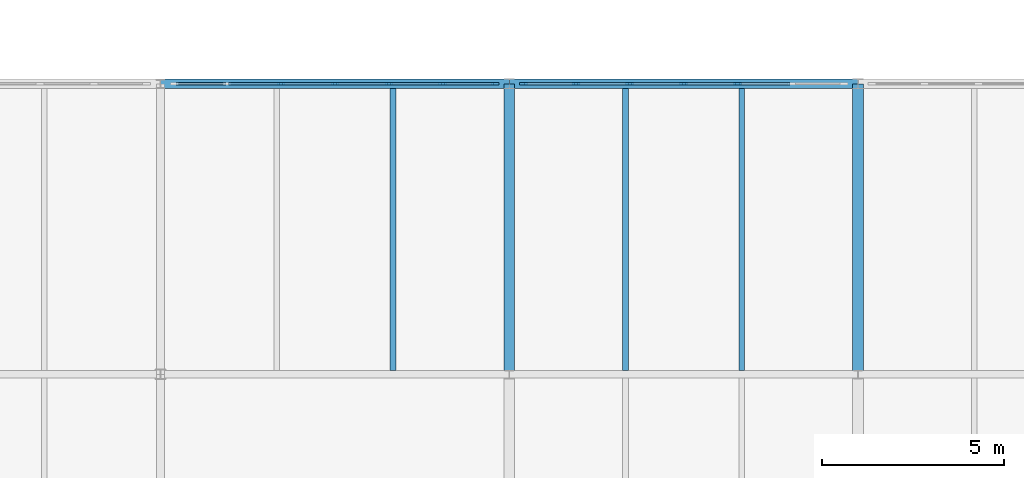
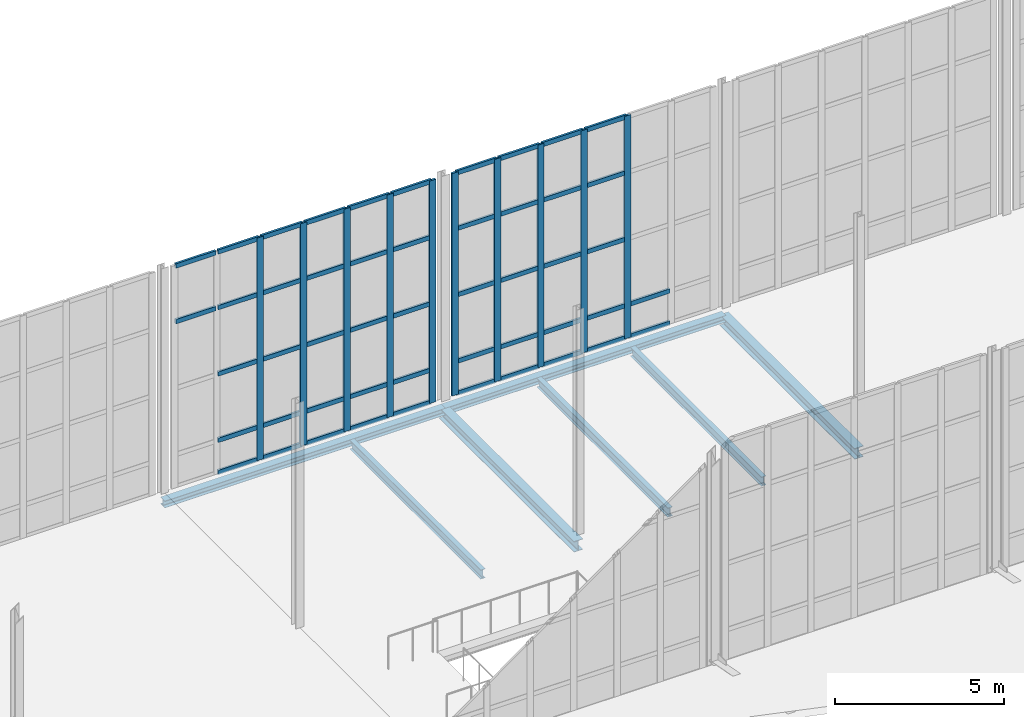
# One storey, part 38 of 73: 59 members, 7 beams, 2 elements without a shape of their own.
"""IFC4 building model written with IfcOpenShell, lengths in metres."""

from ifc_helpers import new_model, si_unit, direction, frame, origin, origin_2d, place, context, subcontext, project, spatial, rectangle, i_section, extrude, material, layer, layer_set, material_profile, profile_set, type_object, element, aggregate, save


model = new_model("IFC4")

# Units and contexts
model_context = context("Model", 3, precision=1e-05, world=origin(), true_north=direction((0.0, 1.0)))
body_context = subcontext(model_context, "Body", "Model", "MODEL_VIEW")
ifc_project = project(units=[si_unit("LENGTHUNIT", "METRE"), si_unit("AREAUNIT", "SQUARE_METRE"), si_unit("VOLUMEUNIT", "CUBIC_METRE"), si_unit("PLANEANGLEUNIT", "RADIAN"), si_unit("MASSUNIT", "GRAM", prefix="KILO")], contexts=[model_context])

# Site, building, storey
site_placement = place(None, origin())
site = spatial("IfcSite", under=ifc_project, at=site_placement, CompositionType="ELEMENT")
building_placement = place(site_placement, origin())
building = spatial("IfcBuilding", under=site, at=building_placement, Name="Alderhovde Museum", CompositionType="ELEMENT")
storey_placement = place(building_placement, frame((0.0, 0.0, 17.39990234375)))
storey = spatial("IfcBuildingStorey", under=building, at=storey_placement, Name="L04", CompositionType="ELEMENT", Elevation=17.39990234375)

# Beams
ifc_material_1 = material(Name="Steel S355J2", Category="steel")
ifc_material_profile_1 = material_profile(ifc_material_1, i_section(OverallWidth=0.300048828125, OverallDepth=0.389892578125, WebThickness=0.010986328125, FlangeThickness=0.01904296875, FilletRadius=0.027099609375, at=origin_2d()), Name="HEA 400")
ifc_profile_set_1 = profile_set([ifc_material_profile_1], Name="Steel S355J2")
beam_type_1 = type_object("IfcBeamType", Name="BM-HEA400", PredefinedType="BEAM", material=ifc_profile_set_1)
for number, where, z_axis, x_axis, name in (
    (1, (86.39990234375, 80.0, -0.474853515625), (0.0, 1.0, 0.0), (-1.0, 0.0, 0.0), "L04 Grid Beam X=86.4 (80.0 TO 88.0)"),
    (2, (96.0, 80.0, -0.474853515625), (0.0, 1.0, 0.0), (-1.0, 0.0, 0.0), "L04 Grid Beam X=96.0 (80.0 TO 88.0)"),
):
    element("IfcBeam", number, at=place(storey_placement, frame(where, z_axis=z_axis, x_axis=x_axis)), inside=storey, type_object=beam_type_1, Name=name, PredefinedType="BEAM", context=body_context, shape_type="SweptSolid", body=[
        extrude(i_section(OverallWidth=0.300048828125, OverallDepth=0.389892578125, WebThickness=0.010986328125, FlangeThickness=0.01904296875, FilletRadius=0.027099609375, at=origin_2d()), origin(), (0.0, 0.0, 1.0), 8.0),
    ])

# Curtain wall, members
ifc_material_2 = material(Name="Triple-Glazed Bronze-Anodised Curtain Wall", Category="glass")
ifc_layer = layer(ifc_material_2, 0.219970703125)
ifc_layer_set = layer_set([ifc_layer], Name="Triple-Glazed Bronze-Anodised Curtain Wall")
curtain_wall_type = type_object("IfcCurtainWallType", Name="CW-UNIT-890x805", PredefinedType="USERDEFINED", material=ifc_layer_set)
curtain_wall_1_placement = place(storey_placement, origin())
curtain_wall_1 = element("IfcCurtainWall", 3, at=curtain_wall_1_placement, inside=storey, type_object=curtain_wall_type, Name="L04 Unitised Curtain Wall 81", ObjectType="UNITISED CURTAIN WALL", PredefinedType="USERDEFINED")
ifc_material_3 = material(Name="Bronze-Anodised Aluminium EN AW-6063-T6", Category="aluminium")
ifc_material_profile_2 = material_profile(ifc_material_3, rectangle(XDim=0.074951171875, YDim=0.219970703125, at=origin_2d()), Name="MULLION 75x220")
ifc_profile_set_2 = profile_set([ifc_material_profile_2], Name="Bronze-Anodised Aluminium EN AW-6063-T6")
member_type_1 = type_object("IfcMemberType", Name="CWM-75x220", PredefinedType="MULLION", material=ifc_profile_set_2)
member_1_placement = place(storey_placement, frame((80.11669921875, 88.0, 0.0), z_axis=(0.0, 0.0, 1.0), x_axis=(0.0, 1.0, 0.0)))
member_1 = element("IfcMember", 4, at=member_1_placement, type_object=member_type_1, Name="CW21 mullion 3", PredefinedType="MULLION", context=body_context, shape_type="SweptSolid", body=[
    extrude(rectangle(XDim=0.074951171875, YDim=0.219970703125, at=origin_2d()), origin(), (0.0, 0.0, 1.0), 8.050048828125),
])
member_2_placement = place(storey_placement, frame((81.60009765625, 88.0, 0.0), z_axis=(0.0, 0.0, 1.0), x_axis=(0.0, 1.0, 0.0)))
member_2 = element("IfcMember", 5, at=member_2_placement, type_object=member_type_1, Name="CW21 mullion 4", PredefinedType="MULLION", context=body_context, shape_type="SweptSolid", body=[
    extrude(rectangle(XDim=0.074951171875, YDim=0.219970703125, at=origin_2d()), origin(), (0.0, 0.0, 1.0), 8.050048828125),
])
member_3_placement = place(storey_placement, frame((83.083251953125, 88.0, 0.0), z_axis=(0.0, 0.0, 1.0), x_axis=(0.0, 1.0, 0.0)))
member_3 = element("IfcMember", 6, at=member_3_placement, type_object=member_type_1, Name="CW21 mullion 5", PredefinedType="MULLION", context=body_context, shape_type="SweptSolid", body=[
    extrude(rectangle(XDim=0.074951171875, YDim=0.219970703125, at=origin_2d()), origin(), (0.0, 0.0, 1.0), 8.050048828125),
])
member_4_placement = place(storey_placement, frame((84.566650390625, 88.0, 0.0), z_axis=(0.0, 0.0, 1.0), x_axis=(0.0, 1.0, 0.0)))
member_4 = element("IfcMember", 7, at=member_4_placement, type_object=member_type_1, Name="CW21 mullion 6", PredefinedType="MULLION", context=body_context, shape_type="SweptSolid", body=[
    extrude(rectangle(XDim=0.074951171875, YDim=0.219970703125, at=origin_2d()), origin(), (0.0, 0.0, 1.0), 8.050048828125),
])
member_5_placement = place(storey_placement, frame((86.012451171875, 88.0, 0.0), z_axis=(0.0, 0.0, 1.0), x_axis=(0.0, 1.0, 0.0)))
member_5 = element("IfcMember", 8, at=member_5_placement, type_object=member_type_1, Name="CW21 mullion 7", PredefinedType="MULLION", context=body_context, shape_type="SweptSolid", body=[
    extrude(rectangle(XDim=0.074951171875, YDim=0.219970703125, at=origin_2d()), origin(), (0.0, 0.0, 1.0), 8.050048828125),
])

curtain_wall_2_placement = place(storey_placement, origin())
curtain_wall_2 = element("IfcCurtainWall", 9, at=curtain_wall_2_placement, inside=storey, type_object=curtain_wall_type, Name="L04 Unitised Curtain Wall 83", ObjectType="UNITISED CURTAIN WALL", PredefinedType="USERDEFINED")
member_6_placement = place(storey_placement, frame((86.78759765625, 88.0, 0.0), z_axis=(0.0, 0.0, 1.0), x_axis=(0.0, 1.0, 0.0)))
member_6 = element("IfcMember", 10, at=member_6_placement, type_object=member_type_1, Name="CW21 mullion 1", PredefinedType="MULLION", context=body_context, shape_type="SweptSolid", body=[
    extrude(rectangle(XDim=0.074951171875, YDim=0.219970703125, at=origin_2d()), origin(), (0.0, 0.0, 1.0), 8.050048828125),
])
member_7_placement = place(storey_placement, frame((88.2333984375, 88.0, 0.0), z_axis=(0.0, 0.0, 1.0), x_axis=(0.0, 1.0, 0.0)))
member_7 = element("IfcMember", 11, at=member_7_placement, type_object=member_type_1, Name="CW21 mullion 2", PredefinedType="MULLION", context=body_context, shape_type="SweptSolid", body=[
    extrude(rectangle(XDim=0.074951171875, YDim=0.219970703125, at=origin_2d()), origin(), (0.0, 0.0, 1.0), 8.050048828125),
])
member_8_placement = place(storey_placement, frame((89.716552734375, 88.0, 0.0), z_axis=(0.0, 0.0, 1.0), x_axis=(0.0, 1.0, 0.0)))
member_8 = element("IfcMember", 12, at=member_8_placement, type_object=member_type_1, Name="CW21 mullion 3", PredefinedType="MULLION", context=body_context, shape_type="SweptSolid", body=[
    extrude(rectangle(XDim=0.074951171875, YDim=0.219970703125, at=origin_2d()), origin(), (0.0, 0.0, 1.0), 8.050048828125),
])
member_9_placement = place(storey_placement, frame((91.199951171875, 88.0, 0.0), z_axis=(0.0, 0.0, 1.0), x_axis=(0.0, 1.0, 0.0)))
member_9 = element("IfcMember", 13, at=member_9_placement, type_object=member_type_1, Name="CW21 mullion 4", PredefinedType="MULLION", context=body_context, shape_type="SweptSolid", body=[
    extrude(rectangle(XDim=0.074951171875, YDim=0.219970703125, at=origin_2d()), origin(), (0.0, 0.0, 1.0), 8.050048828125),
])
member_10_placement = place(storey_placement, frame((92.683349609375, 88.0, 0.0), z_axis=(0.0, 0.0, 1.0), x_axis=(0.0, 1.0, 0.0)))
member_10 = element("IfcMember", 14, at=member_10_placement, type_object=member_type_1, Name="CW21 mullion 5", PredefinedType="MULLION", context=body_context, shape_type="SweptSolid", body=[
    extrude(rectangle(XDim=0.074951171875, YDim=0.219970703125, at=origin_2d()), origin(), (0.0, 0.0, 1.0), 8.050048828125),
])

# Member
ifc_material_4 = material(Name="Bronze-Anodised Aluminium EN AW-6063-T6", Category="aluminium")
ifc_material_profile_3 = material_profile(ifc_material_4, rectangle(XDim=0.074951171875, YDim=0.159912109375, at=origin_2d()), Name="TRANSOM 75x160")
ifc_profile_set_3 = profile_set([ifc_material_profile_3], Name="Bronze-Anodised Aluminium EN AW-6063-T6")
member_type_2 = type_object("IfcMemberType", Name="CWT-75x160", PredefinedType="USERDEFINED", material=ifc_profile_set_3)
member_11_placement = place(storey_placement, frame((77.22509765625, 88.0, 6.0), z_axis=(1.0, 0.0, 0.0), x_axis=(0.0, 1.0, 0.0)))
member_11 = element("IfcMember", 15, at=member_11_placement, type_object=member_type_2, Name="CW21 transom 1.4", ObjectType="TRANSOM", PredefinedType="USERDEFINED", context=body_context, shape_type="SweptSolid", body=[
    extrude(rectangle(XDim=0.074951171875, YDim=0.159912109375, at=origin_2d()), origin(), (0.0, 0.0, 1.0), 1.370849609375),
])

member_12_placement = place(storey_placement, frame((77.22509765625, 88.0, 8.0126953125), z_axis=(1.0, 0.0, 0.0), x_axis=(0.0, 1.0, 0.0)))
member_12 = element("IfcMember", 16, at=member_12_placement, type_object=member_type_2, Name="CW21 transom 1.5", ObjectType="TRANSOM", PredefinedType="USERDEFINED", context=body_context, shape_type="SweptSolid", body=[
    extrude(rectangle(XDim=0.074951171875, YDim=0.159912109375, at=origin_2d()), origin(), (0.0, 0.0, 1.0), 1.370849609375),
])

member_13_placement = place(storey_placement, frame((78.6708984375, 88.0, 0.03759765625), z_axis=(1.0, 0.0, 0.0), x_axis=(0.0, 1.0, 0.0)))
member_13 = element("IfcMember", 17, at=member_13_placement, type_object=member_type_2, Name="CW21 transom 2.1", ObjectType="TRANSOM", PredefinedType="USERDEFINED", context=body_context, shape_type="SweptSolid", body=[
    extrude(rectangle(XDim=0.074951171875, YDim=0.159912109375, at=origin_2d()), origin(), (0.0, 0.0, 1.0), 1.408203125),
])

member_14_placement = place(storey_placement, frame((78.6708984375, 88.0, 1.2001953125), z_axis=(1.0, 0.0, 0.0), x_axis=(0.0, 1.0, 0.0)))
member_14 = element("IfcMember", 18, at=member_14_placement, type_object=member_type_2, Name="CW21 transom 2.2", ObjectType="TRANSOM", PredefinedType="USERDEFINED", context=body_context, shape_type="SweptSolid", body=[
    extrude(rectangle(XDim=0.074951171875, YDim=0.159912109375, at=origin_2d()), origin(), (0.0, 0.0, 1.0), 1.408203125),
])

member_15_placement = place(storey_placement, frame((78.6708984375, 88.0, 3.60009765625), z_axis=(1.0, 0.0, 0.0), x_axis=(0.0, 1.0, 0.0)))
member_15 = element("IfcMember", 19, at=member_15_placement, type_object=member_type_2, Name="CW21 transom 2.3", ObjectType="TRANSOM", PredefinedType="USERDEFINED", context=body_context, shape_type="SweptSolid", body=[
    extrude(rectangle(XDim=0.074951171875, YDim=0.159912109375, at=origin_2d()), origin(), (0.0, 0.0, 1.0), 1.408203125),
])

member_16_placement = place(storey_placement, frame((78.6708984375, 88.0, 6.0), z_axis=(1.0, 0.0, 0.0), x_axis=(0.0, 1.0, 0.0)))
member_16 = element("IfcMember", 20, at=member_16_placement, type_object=member_type_2, Name="CW21 transom 2.4", ObjectType="TRANSOM", PredefinedType="USERDEFINED", context=body_context, shape_type="SweptSolid", body=[
    extrude(rectangle(XDim=0.074951171875, YDim=0.159912109375, at=origin_2d()), origin(), (0.0, 0.0, 1.0), 1.408203125),
])

member_17_placement = place(storey_placement, frame((78.6708984375, 88.0, 8.0126953125), z_axis=(1.0, 0.0, 0.0), x_axis=(0.0, 1.0, 0.0)))
member_17 = element("IfcMember", 21, at=member_17_placement, type_object=member_type_2, Name="CW21 transom 2.5", ObjectType="TRANSOM", PredefinedType="USERDEFINED", context=body_context, shape_type="SweptSolid", body=[
    extrude(rectangle(XDim=0.074951171875, YDim=0.159912109375, at=origin_2d()), origin(), (0.0, 0.0, 1.0), 1.408203125),
])

member_18_placement = place(storey_placement, frame((80.154052734375, 88.0, 0.03759765625), z_axis=(1.0, 0.0, 0.0), x_axis=(0.0, 1.0, 0.0)))
member_18 = element("IfcMember", 22, at=member_18_placement, type_object=member_type_2, Name="CW21 transom 3.1", ObjectType="TRANSOM", PredefinedType="USERDEFINED", context=body_context, shape_type="SweptSolid", body=[
    extrude(rectangle(XDim=0.074951171875, YDim=0.159912109375, at=origin_2d()), origin(), (0.0, 0.0, 1.0), 1.408447265625),
])

member_19_placement = place(storey_placement, frame((80.154052734375, 88.0, 1.2001953125), z_axis=(1.0, 0.0, 0.0), x_axis=(0.0, 1.0, 0.0)))
member_19 = element("IfcMember", 23, at=member_19_placement, type_object=member_type_2, Name="CW21 transom 3.2", ObjectType="TRANSOM", PredefinedType="USERDEFINED", context=body_context, shape_type="SweptSolid", body=[
    extrude(rectangle(XDim=0.074951171875, YDim=0.159912109375, at=origin_2d()), origin(), (0.0, 0.0, 1.0), 1.408447265625),
])

member_20_placement = place(storey_placement, frame((80.154052734375, 88.0, 3.60009765625), z_axis=(1.0, 0.0, 0.0), x_axis=(0.0, 1.0, 0.0)))
member_20 = element("IfcMember", 24, at=member_20_placement, type_object=member_type_2, Name="CW21 transom 3.3", ObjectType="TRANSOM", PredefinedType="USERDEFINED", context=body_context, shape_type="SweptSolid", body=[
    extrude(rectangle(XDim=0.074951171875, YDim=0.159912109375, at=origin_2d()), origin(), (0.0, 0.0, 1.0), 1.408447265625),
])

member_21_placement = place(storey_placement, frame((80.154052734375, 88.0, 6.0), z_axis=(1.0, 0.0, 0.0), x_axis=(0.0, 1.0, 0.0)))
member_21 = element("IfcMember", 25, at=member_21_placement, type_object=member_type_2, Name="CW21 transom 3.4", ObjectType="TRANSOM", PredefinedType="USERDEFINED", context=body_context, shape_type="SweptSolid", body=[
    extrude(rectangle(XDim=0.074951171875, YDim=0.159912109375, at=origin_2d()), origin(), (0.0, 0.0, 1.0), 1.408447265625),
])

member_22_placement = place(storey_placement, frame((80.154052734375, 88.0, 8.0126953125), z_axis=(1.0, 0.0, 0.0), x_axis=(0.0, 1.0, 0.0)))
member_22 = element("IfcMember", 26, at=member_22_placement, type_object=member_type_2, Name="CW21 transom 3.5", ObjectType="TRANSOM", PredefinedType="USERDEFINED", context=body_context, shape_type="SweptSolid", body=[
    extrude(rectangle(XDim=0.074951171875, YDim=0.159912109375, at=origin_2d()), origin(), (0.0, 0.0, 1.0), 1.408447265625),
])

member_23_placement = place(storey_placement, frame((81.637451171875, 88.0, 0.03759765625), z_axis=(1.0, 0.0, 0.0), x_axis=(0.0, 1.0, 0.0)))
member_23 = element("IfcMember", 27, at=member_23_placement, type_object=member_type_2, Name="CW21 transom 4.1", ObjectType="TRANSOM", PredefinedType="USERDEFINED", context=body_context, shape_type="SweptSolid", body=[
    extrude(rectangle(XDim=0.074951171875, YDim=0.159912109375, at=origin_2d()), origin(), (0.0, 0.0, 1.0), 1.408447265625),
])

member_24_placement = place(storey_placement, frame((81.637451171875, 88.0, 1.2001953125), z_axis=(1.0, 0.0, 0.0), x_axis=(0.0, 1.0, 0.0)))
member_24 = element("IfcMember", 28, at=member_24_placement, type_object=member_type_2, Name="CW21 transom 4.2", ObjectType="TRANSOM", PredefinedType="USERDEFINED", context=body_context, shape_type="SweptSolid", body=[
    extrude(rectangle(XDim=0.074951171875, YDim=0.159912109375, at=origin_2d()), origin(), (0.0, 0.0, 1.0), 1.408447265625),
])

member_25_placement = place(storey_placement, frame((81.637451171875, 88.0, 3.60009765625), z_axis=(1.0, 0.0, 0.0), x_axis=(0.0, 1.0, 0.0)))
member_25 = element("IfcMember", 29, at=member_25_placement, type_object=member_type_2, Name="CW21 transom 4.3", ObjectType="TRANSOM", PredefinedType="USERDEFINED", context=body_context, shape_type="SweptSolid", body=[
    extrude(rectangle(XDim=0.074951171875, YDim=0.159912109375, at=origin_2d()), origin(), (0.0, 0.0, 1.0), 1.408447265625),
])

member_26_placement = place(storey_placement, frame((81.637451171875, 88.0, 6.0), z_axis=(1.0, 0.0, 0.0), x_axis=(0.0, 1.0, 0.0)))
member_26 = element("IfcMember", 30, at=member_26_placement, type_object=member_type_2, Name="CW21 transom 4.4", ObjectType="TRANSOM", PredefinedType="USERDEFINED", context=body_context, shape_type="SweptSolid", body=[
    extrude(rectangle(XDim=0.074951171875, YDim=0.159912109375, at=origin_2d()), origin(), (0.0, 0.0, 1.0), 1.408447265625),
])

member_27_placement = place(storey_placement, frame((81.637451171875, 88.0, 8.0126953125), z_axis=(1.0, 0.0, 0.0), x_axis=(0.0, 1.0, 0.0)))
member_27 = element("IfcMember", 31, at=member_27_placement, type_object=member_type_2, Name="CW21 transom 4.5", ObjectType="TRANSOM", PredefinedType="USERDEFINED", context=body_context, shape_type="SweptSolid", body=[
    extrude(rectangle(XDim=0.074951171875, YDim=0.159912109375, at=origin_2d()), origin(), (0.0, 0.0, 1.0), 1.408447265625),
])

member_28_placement = place(storey_placement, frame((83.120849609375, 88.0, 0.03759765625), z_axis=(1.0, 0.0, 0.0), x_axis=(0.0, 1.0, 0.0)))
member_28 = element("IfcMember", 32, at=member_28_placement, type_object=member_type_2, Name="CW21 transom 5.1", ObjectType="TRANSOM", PredefinedType="USERDEFINED", context=body_context, shape_type="SweptSolid", body=[
    extrude(rectangle(XDim=0.074951171875, YDim=0.159912109375, at=origin_2d()), origin(), (0.0, 0.0, 1.0), 1.408203125),
])

member_29_placement = place(storey_placement, frame((83.120849609375, 88.0, 1.2001953125), z_axis=(1.0, 0.0, 0.0), x_axis=(0.0, 1.0, 0.0)))
member_29 = element("IfcMember", 33, at=member_29_placement, type_object=member_type_2, Name="CW21 transom 5.2", ObjectType="TRANSOM", PredefinedType="USERDEFINED", context=body_context, shape_type="SweptSolid", body=[
    extrude(rectangle(XDim=0.074951171875, YDim=0.159912109375, at=origin_2d()), origin(), (0.0, 0.0, 1.0), 1.408203125),
])

member_30_placement = place(storey_placement, frame((83.120849609375, 88.0, 3.60009765625), z_axis=(1.0, 0.0, 0.0), x_axis=(0.0, 1.0, 0.0)))
member_30 = element("IfcMember", 34, at=member_30_placement, type_object=member_type_2, Name="CW21 transom 5.3", ObjectType="TRANSOM", PredefinedType="USERDEFINED", context=body_context, shape_type="SweptSolid", body=[
    extrude(rectangle(XDim=0.074951171875, YDim=0.159912109375, at=origin_2d()), origin(), (0.0, 0.0, 1.0), 1.408203125),
])

member_31_placement = place(storey_placement, frame((83.120849609375, 88.0, 6.0), z_axis=(1.0, 0.0, 0.0), x_axis=(0.0, 1.0, 0.0)))
member_31 = element("IfcMember", 35, at=member_31_placement, type_object=member_type_2, Name="CW21 transom 5.4", ObjectType="TRANSOM", PredefinedType="USERDEFINED", context=body_context, shape_type="SweptSolid", body=[
    extrude(rectangle(XDim=0.074951171875, YDim=0.159912109375, at=origin_2d()), origin(), (0.0, 0.0, 1.0), 1.408203125),
])

member_32_placement = place(storey_placement, frame((83.120849609375, 88.0, 8.0126953125), z_axis=(1.0, 0.0, 0.0), x_axis=(0.0, 1.0, 0.0)))
member_32 = element("IfcMember", 36, at=member_32_placement, type_object=member_type_2, Name="CW21 transom 5.5", ObjectType="TRANSOM", PredefinedType="USERDEFINED", context=body_context, shape_type="SweptSolid", body=[
    extrude(rectangle(XDim=0.074951171875, YDim=0.159912109375, at=origin_2d()), origin(), (0.0, 0.0, 1.0), 1.408203125),
])

member_33_placement = place(storey_placement, frame((84.604248046875, 88.0, 0.03759765625), z_axis=(1.0, 0.0, 0.0), x_axis=(0.0, 1.0, 0.0)))
member_33 = element("IfcMember", 37, at=member_33_placement, type_object=member_type_2, Name="CW21 transom 6.1", ObjectType="TRANSOM", PredefinedType="USERDEFINED", context=body_context, shape_type="SweptSolid", body=[
    extrude(rectangle(XDim=0.074951171875, YDim=0.159912109375, at=origin_2d()), origin(), (0.0, 0.0, 1.0), 1.370849609375),
])

member_34_placement = place(storey_placement, frame((84.604248046875, 88.0, 1.2001953125), z_axis=(1.0, 0.0, 0.0), x_axis=(0.0, 1.0, 0.0)))
member_34 = element("IfcMember", 38, at=member_34_placement, type_object=member_type_2, Name="CW21 transom 6.2", ObjectType="TRANSOM", PredefinedType="USERDEFINED", context=body_context, shape_type="SweptSolid", body=[
    extrude(rectangle(XDim=0.074951171875, YDim=0.159912109375, at=origin_2d()), origin(), (0.0, 0.0, 1.0), 1.370849609375),
])

member_35_placement = place(storey_placement, frame((84.604248046875, 88.0, 3.60009765625), z_axis=(1.0, 0.0, 0.0), x_axis=(0.0, 1.0, 0.0)))
member_35 = element("IfcMember", 39, at=member_35_placement, type_object=member_type_2, Name="CW21 transom 6.3", ObjectType="TRANSOM", PredefinedType="USERDEFINED", context=body_context, shape_type="SweptSolid", body=[
    extrude(rectangle(XDim=0.074951171875, YDim=0.159912109375, at=origin_2d()), origin(), (0.0, 0.0, 1.0), 1.370849609375),
])

member_36_placement = place(storey_placement, frame((84.604248046875, 88.0, 6.0), z_axis=(1.0, 0.0, 0.0), x_axis=(0.0, 1.0, 0.0)))
member_36 = element("IfcMember", 40, at=member_36_placement, type_object=member_type_2, Name="CW21 transom 6.4", ObjectType="TRANSOM", PredefinedType="USERDEFINED", context=body_context, shape_type="SweptSolid", body=[
    extrude(rectangle(XDim=0.074951171875, YDim=0.159912109375, at=origin_2d()), origin(), (0.0, 0.0, 1.0), 1.370849609375),
])

member_37_placement = place(storey_placement, frame((84.604248046875, 88.0, 8.0126953125), z_axis=(1.0, 0.0, 0.0), x_axis=(0.0, 1.0, 0.0)))
member_37 = element("IfcMember", 41, at=member_37_placement, type_object=member_type_2, Name="CW21 transom 6.5", ObjectType="TRANSOM", PredefinedType="USERDEFINED", context=body_context, shape_type="SweptSolid", body=[
    extrude(rectangle(XDim=0.074951171875, YDim=0.159912109375, at=origin_2d()), origin(), (0.0, 0.0, 1.0), 1.370849609375),
])

aggregate(curtain_wall_1, [member_1, member_2, member_3, member_4, member_5, member_11, member_12, member_13, member_14, member_15, member_16, member_17, member_18, member_19, member_20, member_21, member_22, member_23, member_24, member_25, member_26, member_27, member_28, member_29, member_30, member_31, member_32, member_33, member_34, member_35, member_36, member_37])

member_38_placement = place(storey_placement, frame((86.824951171875, 88.0, 0.03759765625), z_axis=(1.0, 0.0, 0.0), x_axis=(0.0, 1.0, 0.0)))
member_38 = element("IfcMember", 42, at=member_38_placement, type_object=member_type_2, Name="CW21 transom 1.1", ObjectType="TRANSOM", PredefinedType="USERDEFINED", context=body_context, shape_type="SweptSolid", body=[
    extrude(rectangle(XDim=0.074951171875, YDim=0.159912109375, at=origin_2d()), origin(), (0.0, 0.0, 1.0), 1.370849609375),
])

member_39_placement = place(storey_placement, frame((86.824951171875, 88.0, 1.2001953125), z_axis=(1.0, 0.0, 0.0), x_axis=(0.0, 1.0, 0.0)))
member_39 = element("IfcMember", 43, at=member_39_placement, type_object=member_type_2, Name="CW21 transom 1.2", ObjectType="TRANSOM", PredefinedType="USERDEFINED", context=body_context, shape_type="SweptSolid", body=[
    extrude(rectangle(XDim=0.074951171875, YDim=0.159912109375, at=origin_2d()), origin(), (0.0, 0.0, 1.0), 1.370849609375),
])

member_40_placement = place(storey_placement, frame((86.824951171875, 88.0, 3.60009765625), z_axis=(1.0, 0.0, 0.0), x_axis=(0.0, 1.0, 0.0)))
member_40 = element("IfcMember", 44, at=member_40_placement, type_object=member_type_2, Name="CW21 transom 1.3", ObjectType="TRANSOM", PredefinedType="USERDEFINED", context=body_context, shape_type="SweptSolid", body=[
    extrude(rectangle(XDim=0.074951171875, YDim=0.159912109375, at=origin_2d()), origin(), (0.0, 0.0, 1.0), 1.370849609375),
])

member_41_placement = place(storey_placement, frame((86.824951171875, 88.0, 6.0), z_axis=(1.0, 0.0, 0.0), x_axis=(0.0, 1.0, 0.0)))
member_41 = element("IfcMember", 45, at=member_41_placement, type_object=member_type_2, Name="CW21 transom 1.4", ObjectType="TRANSOM", PredefinedType="USERDEFINED", context=body_context, shape_type="SweptSolid", body=[
    extrude(rectangle(XDim=0.074951171875, YDim=0.159912109375, at=origin_2d()), origin(), (0.0, 0.0, 1.0), 1.370849609375),
])

member_42_placement = place(storey_placement, frame((86.824951171875, 88.0, 8.0126953125), z_axis=(1.0, 0.0, 0.0), x_axis=(0.0, 1.0, 0.0)))
member_42 = element("IfcMember", 46, at=member_42_placement, type_object=member_type_2, Name="CW21 transom 1.5", ObjectType="TRANSOM", PredefinedType="USERDEFINED", context=body_context, shape_type="SweptSolid", body=[
    extrude(rectangle(XDim=0.074951171875, YDim=0.159912109375, at=origin_2d()), origin(), (0.0, 0.0, 1.0), 1.370849609375),
])

member_43_placement = place(storey_placement, frame((88.270751953125, 88.0, 0.03759765625), z_axis=(1.0, 0.0, 0.0), x_axis=(0.0, 1.0, 0.0)))
member_43 = element("IfcMember", 47, at=member_43_placement, type_object=member_type_2, Name="CW21 transom 2.1", ObjectType="TRANSOM", PredefinedType="USERDEFINED", context=body_context, shape_type="SweptSolid", body=[
    extrude(rectangle(XDim=0.074951171875, YDim=0.159912109375, at=origin_2d()), origin(), (0.0, 0.0, 1.0), 1.408447265625),
])

member_44_placement = place(storey_placement, frame((88.270751953125, 88.0, 1.2001953125), z_axis=(1.0, 0.0, 0.0), x_axis=(0.0, 1.0, 0.0)))
member_44 = element("IfcMember", 48, at=member_44_placement, type_object=member_type_2, Name="CW21 transom 2.2", ObjectType="TRANSOM", PredefinedType="USERDEFINED", context=body_context, shape_type="SweptSolid", body=[
    extrude(rectangle(XDim=0.074951171875, YDim=0.159912109375, at=origin_2d()), origin(), (0.0, 0.0, 1.0), 1.408447265625),
])

member_45_placement = place(storey_placement, frame((88.270751953125, 88.0, 3.60009765625), z_axis=(1.0, 0.0, 0.0), x_axis=(0.0, 1.0, 0.0)))
member_45 = element("IfcMember", 49, at=member_45_placement, type_object=member_type_2, Name="CW21 transom 2.3", ObjectType="TRANSOM", PredefinedType="USERDEFINED", context=body_context, shape_type="SweptSolid", body=[
    extrude(rectangle(XDim=0.074951171875, YDim=0.159912109375, at=origin_2d()), origin(), (0.0, 0.0, 1.0), 1.408447265625),
])

member_46_placement = place(storey_placement, frame((88.270751953125, 88.0, 6.0), z_axis=(1.0, 0.0, 0.0), x_axis=(0.0, 1.0, 0.0)))
member_46 = element("IfcMember", 50, at=member_46_placement, type_object=member_type_2, Name="CW21 transom 2.4", ObjectType="TRANSOM", PredefinedType="USERDEFINED", context=body_context, shape_type="SweptSolid", body=[
    extrude(rectangle(XDim=0.074951171875, YDim=0.159912109375, at=origin_2d()), origin(), (0.0, 0.0, 1.0), 1.408447265625),
])

member_47_placement = place(storey_placement, frame((88.270751953125, 88.0, 8.0126953125), z_axis=(1.0, 0.0, 0.0), x_axis=(0.0, 1.0, 0.0)))
member_47 = element("IfcMember", 51, at=member_47_placement, type_object=member_type_2, Name="CW21 transom 2.5", ObjectType="TRANSOM", PredefinedType="USERDEFINED", context=body_context, shape_type="SweptSolid", body=[
    extrude(rectangle(XDim=0.074951171875, YDim=0.159912109375, at=origin_2d()), origin(), (0.0, 0.0, 1.0), 1.408447265625),
])

member_48_placement = place(storey_placement, frame((89.754150390625, 88.0, 0.03759765625), z_axis=(1.0, 0.0, 0.0), x_axis=(0.0, 1.0, 0.0)))
member_48 = element("IfcMember", 52, at=member_48_placement, type_object=member_type_2, Name="CW21 transom 3.1", ObjectType="TRANSOM", PredefinedType="USERDEFINED", context=body_context, shape_type="SweptSolid", body=[
    extrude(rectangle(XDim=0.074951171875, YDim=0.159912109375, at=origin_2d()), origin(), (0.0, 0.0, 1.0), 1.408447265625),
])

member_49_placement = place(storey_placement, frame((89.754150390625, 88.0, 1.2001953125), z_axis=(1.0, 0.0, 0.0), x_axis=(0.0, 1.0, 0.0)))
member_49 = element("IfcMember", 53, at=member_49_placement, type_object=member_type_2, Name="CW21 transom 3.2", ObjectType="TRANSOM", PredefinedType="USERDEFINED", context=body_context, shape_type="SweptSolid", body=[
    extrude(rectangle(XDim=0.074951171875, YDim=0.159912109375, at=origin_2d()), origin(), (0.0, 0.0, 1.0), 1.408447265625),
])

member_50_placement = place(storey_placement, frame((89.754150390625, 88.0, 3.60009765625), z_axis=(1.0, 0.0, 0.0), x_axis=(0.0, 1.0, 0.0)))
member_50 = element("IfcMember", 54, at=member_50_placement, type_object=member_type_2, Name="CW21 transom 3.3", ObjectType="TRANSOM", PredefinedType="USERDEFINED", context=body_context, shape_type="SweptSolid", body=[
    extrude(rectangle(XDim=0.074951171875, YDim=0.159912109375, at=origin_2d()), origin(), (0.0, 0.0, 1.0), 1.408447265625),
])

member_51_placement = place(storey_placement, frame((89.754150390625, 88.0, 6.0), z_axis=(1.0, 0.0, 0.0), x_axis=(0.0, 1.0, 0.0)))
member_51 = element("IfcMember", 55, at=member_51_placement, type_object=member_type_2, Name="CW21 transom 3.4", ObjectType="TRANSOM", PredefinedType="USERDEFINED", context=body_context, shape_type="SweptSolid", body=[
    extrude(rectangle(XDim=0.074951171875, YDim=0.159912109375, at=origin_2d()), origin(), (0.0, 0.0, 1.0), 1.408447265625),
])

member_52_placement = place(storey_placement, frame((89.754150390625, 88.0, 8.0126953125), z_axis=(1.0, 0.0, 0.0), x_axis=(0.0, 1.0, 0.0)))
member_52 = element("IfcMember", 56, at=member_52_placement, type_object=member_type_2, Name="CW21 transom 3.5", ObjectType="TRANSOM", PredefinedType="USERDEFINED", context=body_context, shape_type="SweptSolid", body=[
    extrude(rectangle(XDim=0.074951171875, YDim=0.159912109375, at=origin_2d()), origin(), (0.0, 0.0, 1.0), 1.408447265625),
])

member_53_placement = place(storey_placement, frame((91.237548828125, 88.0, 0.03759765625), z_axis=(1.0, 0.0, 0.0), x_axis=(0.0, 1.0, 0.0)))
member_53 = element("IfcMember", 57, at=member_53_placement, type_object=member_type_2, Name="CW21 transom 4.1", ObjectType="TRANSOM", PredefinedType="USERDEFINED", context=body_context, shape_type="SweptSolid", body=[
    extrude(rectangle(XDim=0.074951171875, YDim=0.159912109375, at=origin_2d()), origin(), (0.0, 0.0, 1.0), 1.408203125),
])

member_54_placement = place(storey_placement, frame((91.237548828125, 88.0, 1.2001953125), z_axis=(1.0, 0.0, 0.0), x_axis=(0.0, 1.0, 0.0)))
member_54 = element("IfcMember", 58, at=member_54_placement, type_object=member_type_2, Name="CW21 transom 4.2", ObjectType="TRANSOM", PredefinedType="USERDEFINED", context=body_context, shape_type="SweptSolid", body=[
    extrude(rectangle(XDim=0.074951171875, YDim=0.159912109375, at=origin_2d()), origin(), (0.0, 0.0, 1.0), 1.408203125),
])

member_55_placement = place(storey_placement, frame((91.237548828125, 88.0, 3.60009765625), z_axis=(1.0, 0.0, 0.0), x_axis=(0.0, 1.0, 0.0)))
member_55 = element("IfcMember", 59, at=member_55_placement, type_object=member_type_2, Name="CW21 transom 4.3", ObjectType="TRANSOM", PredefinedType="USERDEFINED", context=body_context, shape_type="SweptSolid", body=[
    extrude(rectangle(XDim=0.074951171875, YDim=0.159912109375, at=origin_2d()), origin(), (0.0, 0.0, 1.0), 1.408203125),
])

member_56_placement = place(storey_placement, frame((91.237548828125, 88.0, 6.0), z_axis=(1.0, 0.0, 0.0), x_axis=(0.0, 1.0, 0.0)))
member_56 = element("IfcMember", 60, at=member_56_placement, type_object=member_type_2, Name="CW21 transom 4.4", ObjectType="TRANSOM", PredefinedType="USERDEFINED", context=body_context, shape_type="SweptSolid", body=[
    extrude(rectangle(XDim=0.074951171875, YDim=0.159912109375, at=origin_2d()), origin(), (0.0, 0.0, 1.0), 1.408203125),
])

member_57_placement = place(storey_placement, frame((91.237548828125, 88.0, 8.0126953125), z_axis=(1.0, 0.0, 0.0), x_axis=(0.0, 1.0, 0.0)))
member_57 = element("IfcMember", 61, at=member_57_placement, type_object=member_type_2, Name="CW21 transom 4.5", ObjectType="TRANSOM", PredefinedType="USERDEFINED", context=body_context, shape_type="SweptSolid", body=[
    extrude(rectangle(XDim=0.074951171875, YDim=0.159912109375, at=origin_2d()), origin(), (0.0, 0.0, 1.0), 1.408203125),
])

member_58_placement = place(storey_placement, frame((92.720947265625, 88.0, 0.03759765625), z_axis=(1.0, 0.0, 0.0), x_axis=(0.0, 1.0, 0.0)))
member_58 = element("IfcMember", 62, at=member_58_placement, type_object=member_type_2, Name="CW21 transom 5.1", ObjectType="TRANSOM", PredefinedType="USERDEFINED", context=body_context, shape_type="SweptSolid", body=[
    extrude(rectangle(XDim=0.074951171875, YDim=0.159912109375, at=origin_2d()), origin(), (0.0, 0.0, 1.0), 1.408203125),
])

member_59_placement = place(storey_placement, frame((92.720947265625, 88.0, 1.2001953125), z_axis=(1.0, 0.0, 0.0), x_axis=(0.0, 1.0, 0.0)))
member_59 = element("IfcMember", 63, at=member_59_placement, type_object=member_type_2, Name="CW21 transom 5.2", ObjectType="TRANSOM", PredefinedType="USERDEFINED", context=body_context, shape_type="SweptSolid", body=[
    extrude(rectangle(XDim=0.074951171875, YDim=0.159912109375, at=origin_2d()), origin(), (0.0, 0.0, 1.0), 1.408203125),
])

aggregate(curtain_wall_2, [member_6, member_7, member_8, member_9, member_10, member_38, member_39, member_40, member_41, member_42, member_43, member_44, member_45, member_46, member_47, member_48, member_49, member_50, member_51, member_52, member_53, member_54, member_55, member_56, member_57, member_58, member_59])

# Beams
ifc_material_5 = material(Name="Steel S355J2", Category="steel")
ifc_material_profile_4 = material_profile(ifc_material_5, i_section(OverallWidth=0.159912109375, OverallDepth=0.330078125, WebThickness=0.007568359375, FlangeThickness=0.011474609375, FilletRadius=0.01806640625, at=origin_2d()), Name="IPE 330")
ifc_profile_set_4 = profile_set([ifc_material_profile_4], Name="Steel S355J2")
beam_type_2 = type_object("IfcBeamType", Name="JST-IPE330", PredefinedType="JOIST", material=ifc_profile_set_4)
for number, where, z_axis, x_axis, name in (
    (64, (83.199951171875, 80.10498046875, -0.44482421875), (0.0, 1.0, 0.0), (-1.0, 0.0, 0.0), "L04 Composite Joist X=83.2 (80.0 TO 88.0)"),
    (65, (89.60009765625, 80.10498046875, -0.44482421875), (0.0, 1.0, 0.0), (-1.0, 0.0, 0.0), "L04 Composite Joist X=89.6 (80.0 TO 88.0)"),
    (66, (92.800048828125, 80.10498046875, -0.44482421875), (0.0, 1.0, 0.0), (-1.0, 0.0, 0.0), "L04 Composite Joist X=92.8 (80.0 TO 88.0)"),
):
    element("IfcBeam", number, at=place(storey_placement, frame(where, z_axis=z_axis, x_axis=x_axis)), inside=storey, type_object=beam_type_2, Name=name, PredefinedType="JOIST", context=body_context, shape_type="SweptSolid", body=[
        extrude(i_section(OverallWidth=0.159912109375, OverallDepth=0.330078125, WebThickness=0.007568359375, FlangeThickness=0.011474609375, FilletRadius=0.01806640625, at=origin_2d()), origin(), (0.0, 0.0, 1.0), 7.76513671875),
    ])
ifc_material_6 = material(Name="Steel S355J2", Category="steel")
ifc_material_profile_5 = material_profile(ifc_material_6, i_section(OverallWidth=0.260009765625, OverallDepth=0.25, WebThickness=0.007568359375, FlangeThickness=0.012451171875, FilletRadius=0.02392578125, at=origin_2d()), Name="HEA 260")
ifc_profile_set_5 = profile_set([ifc_material_profile_5], Name="Steel S355J2")
beam_type_3 = type_object("IfcBeamType", Name="SPD-HEA260", PredefinedType="SPANDREL", material=ifc_profile_set_5)
beam_1_placement = place(storey_placement, frame((76.800048828125, 88.0, -0.40478515625), z_axis=(1.0, 0.0, 0.0), x_axis=(0.0, 1.0, 0.0)))
element("IfcBeam", 67, at=beam_1_placement, inside=storey, type_object=beam_type_3, Name="L04 Grid Beam Y=88.0 (76.8 TO 86.4)", PredefinedType="SPANDREL", context=body_context, shape_type="SweptSolid", body=[
    extrude(i_section(OverallWidth=0.260009765625, OverallDepth=0.25, WebThickness=0.007568359375, FlangeThickness=0.012451171875, FilletRadius=0.02392578125, at=origin_2d()), origin(), (0.0, 0.0, 1.0), 9.599853515625),
])
beam_2_placement = place(storey_placement, frame((86.39990234375, 88.0, -0.40478515625), z_axis=(1.0, 0.0, 0.0), x_axis=(0.0, 1.0, 0.0)))
element("IfcBeam", 68, at=beam_2_placement, inside=storey, type_object=beam_type_3, Name="L04 Grid Beam Y=88.0 (86.4 TO 96.0)", PredefinedType="SPANDREL", context=body_context, shape_type="SweptSolid", body=[
    extrude(i_section(OverallWidth=0.260009765625, OverallDepth=0.25, WebThickness=0.007568359375, FlangeThickness=0.012451171875, FilletRadius=0.02392578125, at=origin_2d()), origin(), (0.0, 0.0, 1.0), 9.60009765625),
])

save(model, "model.ifc")
